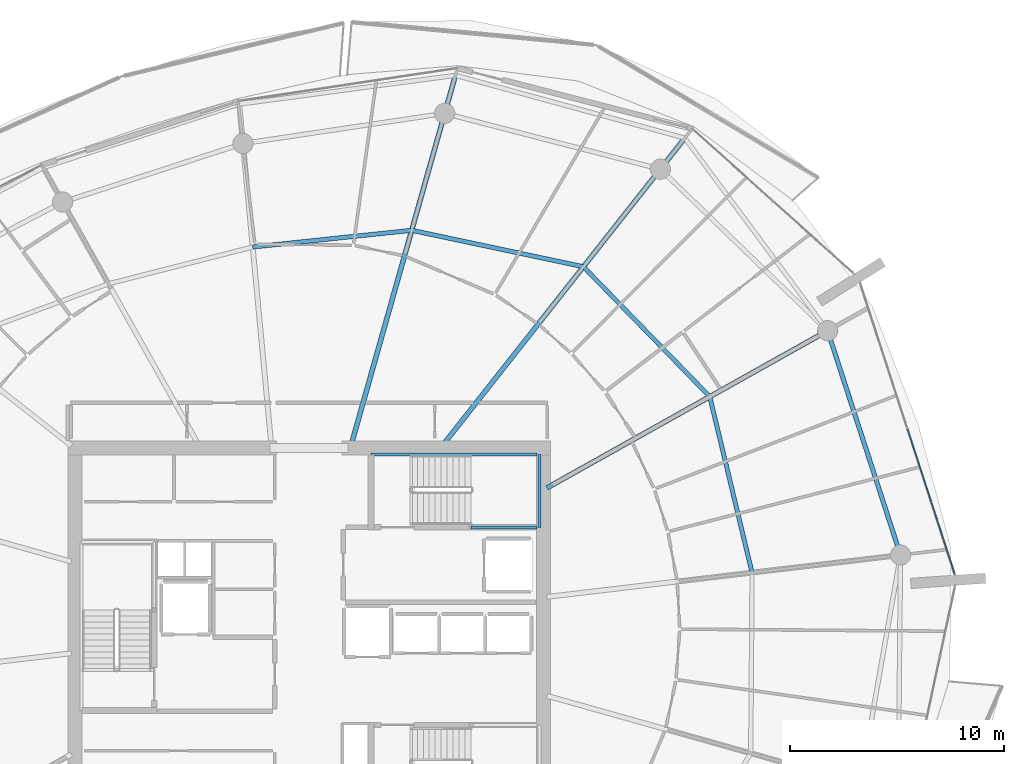
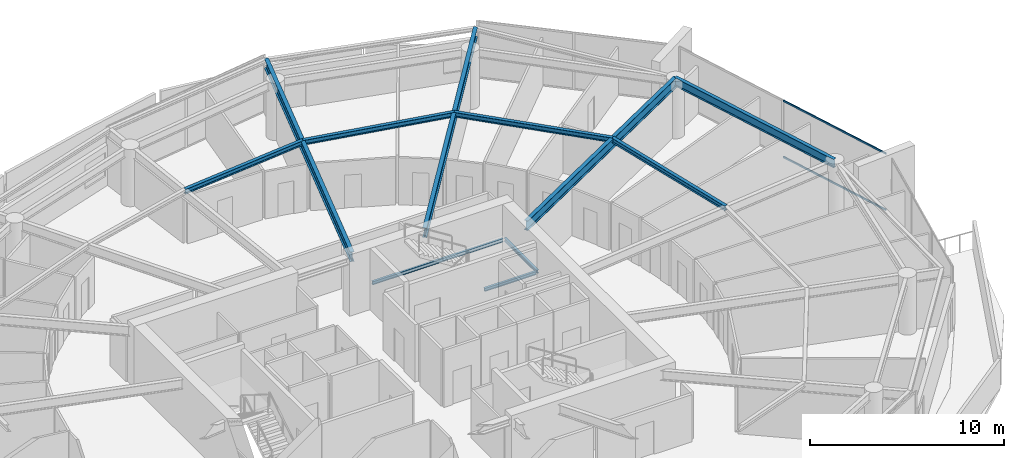
# One storey, part 14 of 31: 11 beams, 2 members, 1 element without a shape of its own.
"""IFC4 building model written with IfcOpenShell, lengths in metres."""

import ifcopenshell
import ifcopenshell.guid

model = None  # the IFC model being written
_history = None  # IfcOwnerHistory: only IFC2X3 demands one
_inside = {}  # id of a spatial element -> (the spatial element, [elements in it])
_under = {}  # id of a project, library or spatial element -> (it, [spatial elements below it])
_declared = {}  # id of a project -> (the project, [libraries it declares])
_typed = {}  # id of a type object -> (the type object, [elements of that type])
_made_of = {}  # id of a material, layer set ... -> (it, [elements and type objects made of it])


def new_model(schema):
    """Start an empty IFC model of exactly this schema.

    Asked for "IFC4X3", IfcOpenShell would pick the latest addendum, in which some entities
    have other attributes; the version numbers below select the first issue.
    IFC2X3 requires an IfcOwnerHistory on every rooted entity: one is made here for all.
    """
    global model, _history
    if schema == "IFC4X3":
        model = ifcopenshell.file(schema_version=(4, 3, 0, 0))
    else:
        model = ifcopenshell.file(schema=schema)
    _inside.clear()
    _under.clear()
    _declared.clear()
    _typed.clear()
    _made_of.clear()
    _history = None
    if model.schema == "IFC2X3":
        org = make("IfcOrganization", Name="unknown")
        user = make(
            "IfcPersonAndOrganization",
            ThePerson=make("IfcPerson", FamilyName="unknown"),
            TheOrganization=org,
        )
        app = make(
            "IfcApplication",
            ApplicationDeveloper=org,
            Version="unknown",
            ApplicationFullName="unknown",
            ApplicationIdentifier="unknown",
        )
        _history = make(
            "IfcOwnerHistory",
            OwningUser=user,
            OwningApplication=app,
            ChangeAction="ADDED",
            CreationDate=0,
        )
    return model


def make(cls, **values):
    """One entity of the class cls with the attributes given. An attribute that is None is left unset."""
    return model.create_entity(
        cls, **{name: value for name, value in values.items() if value is not None}
    )


def rooted(cls, **values):
    """An entity with a GlobalId (a new one), such as an element, a storey or a relation."""
    return make(cls, GlobalId=ifcopenshell.guid.new(), OwnerHistory=_history, **values)


def si_unit(unit_type, name, prefix=None):
    """IfcSIUnit, for example si_unit("LENGTHUNIT", "METRE", prefix="MILLI")."""
    return make("IfcSIUnit", UnitType=unit_type, Prefix=prefix, Name=name)


def assignment(units):
    """IfcUnitAssignment: the units of a project."""
    return None if units is None else make("IfcUnitAssignment", Units=units)


def point(xyz):
    """IfcCartesianPoint."""
    return None if xyz is None else make("IfcCartesianPoint", Coordinates=xyz)


def direction(xyz):
    """IfcDirection."""
    return None if xyz is None else make("IfcDirection", DirectionRatios=xyz)


def frame(location, z_axis=None, x_axis=None):
    """IfcAxis2Placement3D, a coordinate frame: its origin and axes. An axis left out is left unset."""
    return make(
        "IfcAxis2Placement3D",
        Location=point(location),
        Axis=direction(z_axis),
        RefDirection=direction(x_axis),
    )


def frame_2d(location, x_axis=None):
    """IfcAxis2Placement2D, a coordinate frame in the plane: its origin and x axis."""
    return make(
        "IfcAxis2Placement2D", Location=point(location), RefDirection=direction(x_axis)
    )


def origin():
    """The frame at (0, 0, 0) with its axes left unset."""
    return frame((0.0, 0.0, 0.0))


def origin_2d():
    """The frame at (0, 0) in the plane with its x axis left unset."""
    return frame_2d((0.0, 0.0))


def place(relative_to, where):
    """IfcLocalPlacement: puts the frame where relative to a parent placement (None: the world)."""
    return make(
        "IfcLocalPlacement", PlacementRelTo=relative_to, RelativePlacement=where
    )


def context(
    kind, dimensions, precision=None, world=None, true_north=None, identifier=None
):
    """IfcGeometricRepresentationContext, for example the 3D "Model" context."""
    return make(
        "IfcGeometricRepresentationContext",
        ContextIdentifier=identifier,
        ContextType=kind,
        CoordinateSpaceDimension=dimensions,
        Precision=precision,
        WorldCoordinateSystem=world,
        TrueNorth=true_north,
    )


def subcontext(parent, identifier, kind, view, scale=None):
    """IfcGeometricRepresentationSubContext, for example "Body" below "Model"."""
    return make(
        "IfcGeometricRepresentationSubContext",
        ContextIdentifier=identifier,
        ContextType=kind,
        ParentContext=parent,
        TargetScale=scale,
        TargetView=view,
    )


def project(units=None, contexts=None):
    """IfcProject with its units and contexts."""
    return rooted(
        "IfcProject",
        Name="project",
        RepresentationContexts=contexts,
        UnitsInContext=assignment(units),
    )


def spatial(cls, under=None, at=None, **own):
    """A site, building, storey or space (cls), placed at a placement, below another one or the project."""
    s = rooted(cls, ObjectPlacement=at, **own)
    if under is not None:
        _under.setdefault(under.id(), (under, []))[1].append(s)
    return s


def profile(cls, at=None, kind="AREA", **sizes):
    """A parametric profile (cls). Its sizes go by their IFC names, for example OverallWidth=200.0."""
    return make(cls, ProfileType=kind, Position=at, **sizes)


def rectangle(**sizes):
    """IfcRectangleProfileDef."""
    return profile("IfcRectangleProfileDef", **sizes)


def i_section(**sizes):
    """IfcIShapeProfileDef."""
    return profile("IfcIShapeProfileDef", **sizes)


def extrude(swept, where, along, depth):
    """IfcExtrudedAreaSolid: the profile swept, set in the frame where, extruded along a direction by depth."""
    return make(
        "IfcExtrudedAreaSolid",
        SweptArea=swept,
        Position=where,
        ExtrudedDirection=direction(along),
        Depth=depth,
    )


def shape(context_of_items, identifier, shape_type, items):
    """IfcShapeRepresentation: the items that make up one representation, for example the "Body"."""
    return make(
        "IfcShapeRepresentation",
        ContextOfItems=context_of_items,
        RepresentationIdentifier=identifier,
        RepresentationType=shape_type,
        Items=items,
    )


def material(Name=None, Category=None):
    """IfcMaterial."""
    return make("IfcMaterial", Name=Name, Category=Category)


def layer(
    of_material, thickness, ventilated=None, Name=None, Category=None, Priority=None
):
    """IfcMaterialLayer: one layer of a wall or slab, of a material (None: an air gap)."""
    return make(
        "IfcMaterialLayer",
        Material=of_material,
        LayerThickness=thickness,
        IsVentilated=ventilated,
        Name=Name,
        Category=Category,
        Priority=Priority,
    )


def layer_set(layers, Name=None):
    """IfcMaterialLayerSet."""
    return make("IfcMaterialLayerSet", MaterialLayers=layers, LayerSetName=Name)


def material_profile(
    of_material, cross_section, Name=None, Category=None, Priority=None
):
    """IfcMaterialProfile: a cross section and its material."""
    return make(
        "IfcMaterialProfile",
        Name=Name,
        Material=of_material,
        Profile=cross_section,
        Priority=Priority,
        Category=Category,
    )


def profile_set(profiles, Name=None, composite=None):
    """IfcMaterialProfileSet."""
    return make(
        "IfcMaterialProfileSet",
        Name=Name,
        MaterialProfiles=profiles,
        CompositeProfile=composite,
    )


def made_of(thing, what):
    """Note that an element or type object is made of a material, layer set ...; save() writes the relation."""
    if what is not None:
        _made_of.setdefault(what.id(), (what, []))[1].append(thing)
    return thing


def type_object(cls, material=None, **own):
    """A type object (cls), such as IfcWallType, which elements share."""
    return made_of(rooted(cls, **own), material)


def element(
    cls,
    number,
    at=None,
    inside=None,
    cuts=None,
    type_object=None,
    material=None,
    context=None,
    identifier="Body",
    shape_type=None,
    held_by="IfcProductDefinitionShape",
    body=None,
    shapes=None,
    **own,
):
    """One element of the class cls, such as IfcWall. Its Tag is "e" and its number.

    at: its placement. inside: the storey or other place that contains it. cuts: it is an
    opening in that element (IfcRelVoidsElement). A single representation is given by context,
    identifier, shape_type and body (its items); several are given by shapes. held_by: the class
    of the entity that holds the representations. save() writes the other relations.
    """
    e = rooted(cls, Tag="e%d" % number, ObjectPlacement=at, **own)
    if body is not None:
        shapes = [shape(context, identifier, shape_type, body)]
    if shapes is not None:
        e.Representation = make(held_by, Representations=shapes)
    if inside is not None:
        _inside.setdefault(inside.id(), (inside, []))[1].append(e)
    if cuts is not None:
        rooted(
            "IfcRelVoidsElement", RelatingBuildingElement=cuts, RelatedOpeningElement=e
        )
    if type_object is not None:
        _typed.setdefault(type_object.id(), (type_object, []))[1].append(e)
    return made_of(e, material)


def aggregate(whole, parts):
    """IfcRelAggregates: a whole, such as a stair, and the parts it consists of."""
    return rooted("IfcRelAggregates", RelatingObject=whole, RelatedObjects=parts)


def save(model, path):
    """Write the relations noted so far, then the file.

    IfcRelAggregates (storeys below a building ...), IfcRelContainedInSpatialStructure (elements
    in a storey), IfcRelDefinesByType, IfcRelAssociatesMaterial and IfcRelDeclares: one each for
    every whole, place, type object, material and project.
    """
    for whole, parts in _under.values():
        aggregate(whole, parts)
    for where, things in _inside.values():
        rooted(
            "IfcRelContainedInSpatialStructure",
            RelatedElements=things,
            RelatingStructure=where,
        )
    for kind, things in _typed.values():
        rooted("IfcRelDefinesByType", RelatedObjects=things, RelatingType=kind)
    for what, things in _made_of.values():
        rooted("IfcRelAssociatesMaterial", RelatedObjects=things, RelatingMaterial=what)
    for by, libraries in _declared.values():
        rooted("IfcRelDeclares", RelatingContext=by, RelatedDefinitions=libraries)
    model.write(path)


model = new_model("IFC4")

# Units and contexts
model_context = context("Model", 3, precision=1e-05, world=origin(), true_north=direction((0.0, 1.0)))
body_context = subcontext(model_context, "Body", "Model", "MODEL_VIEW")
ifc_project = project(units=[si_unit("LENGTHUNIT", "METRE"), si_unit("AREAUNIT", "SQUARE_METRE"), si_unit("VOLUMEUNIT", "CUBIC_METRE"), si_unit("PLANEANGLEUNIT", "RADIAN"), si_unit("MASSUNIT", "GRAM", prefix="KILO")], contexts=[model_context])

# Site, building, storey
site_placement = place(None, origin())
site = spatial("IfcSite", under=ifc_project, at=site_placement, CompositionType="ELEMENT")
building_placement = place(site_placement, origin())
building = spatial("IfcBuilding", under=site, at=building_placement, Name="Kazma Halo Residences", CompositionType="ELEMENT")
storey_placement = place(building_placement, frame((0.0, 0.0, 248.25)))
storey = spatial("IfcBuildingStorey", under=building, at=storey_placement, Name="L62", CompositionType="ELEMENT", Elevation=248.25)

# Beams
ifc_material_1 = material(Name="Steel S355", Category="steel")
ifc_material_profile_1 = material_profile(ifc_material_1, i_section(OverallWidth=0.22802734375, OverallDepth=0.60791015625, WebThickness=0.01123046875, FlangeThickness=0.017333984375, FilletRadius=0.01806640625, at=origin_2d()), Name="W610x113")
ifc_profile_set_1 = profile_set([ifc_material_profile_1], Name="Steel S355")
beam_type_1 = type_object("IfcBeamType", Name="BM-RAD-W610", PredefinedType="BEAM", material=ifc_profile_set_1)
beam_1_placement = place(storey_placement, frame((59.550048828125, 48.46826171875, 3.285888671875), z_axis=(0.872498817764, 0.488616222613, 0.0), x_axis=(-0.488616222613, 0.872498817764, 0.0)))
element("IfcBeam", 1, at=beam_1_placement, inside=storey, type_object=beam_type_1, Name="L62 radial floor beam 01", PredefinedType="BEAM", context=body_context, shape_type="SweptSolid", body=[
    extrude(i_section(OverallWidth=0.22802734375, OverallDepth=0.60791015625, WebThickness=0.01123046875, FlangeThickness=0.017333984375, FilletRadius=0.01806640625, at=origin_2d()), origin(), (0.0, 0.0, 1.0), 15.03759765625),
])
beam_2_placement = place(storey_placement, frame((54.700927734375, 50.5, 3.285888671875), z_axis=(0.6190864347, 0.785322854863, 0.0), x_axis=(-0.785322854863, 0.6190864347, 0.0)))
element("IfcBeam", 2, at=beam_2_placement, inside=storey, type_object=beam_type_1, Name="L62 radial floor beam 02", PredefinedType="BEAM", context=body_context, shape_type="SweptSolid", body=[
    extrude(i_section(OverallWidth=0.22802734375, OverallDepth=0.60791015625, WebThickness=0.01123046875, FlangeThickness=0.017333984375, FilletRadius=0.01806640625, at=origin_2d()), origin(), (0.0, 0.0, 1.0), 18.239013671875),
])
beam_3_placement = place(storey_placement, frame((50.397216796875, 50.5, 3.285888671875), z_axis=(0.271445290974, 0.962453871107, 0.0), x_axis=(-0.962453871107, 0.271445290974, 0.0)))
element("IfcBeam", 3, at=beam_3_placement, inside=storey, type_object=beam_type_1, Name="L62 radial floor beam 03", PredefinedType="BEAM", context=body_context, shape_type="SweptSolid", body=[
    extrude(i_section(OverallWidth=0.22802734375, OverallDepth=0.60791015625, WebThickness=0.01123046875, FlangeThickness=0.017333984375, FilletRadius=0.01806640625, at=origin_2d()), origin(), (0.0, 0.0, 1.0), 17.933349609375),
])
ifc_material_profile_2 = material_profile(ifc_material_1, i_section(OverallWidth=0.202880859375, OverallDepth=0.302978515625, WebThickness=0.007568359375, FlangeThickness=0.01318359375, FilletRadius=0.013916015625, at=origin_2d()), Name="W310x60")
ifc_profile_set_2 = profile_set([ifc_material_profile_2], Name="Steel S355")
beam_type_2 = type_object("IfcBeamType", Name="BM-SEC-W310A", PredefinedType="JOIST", material=ifc_profile_set_2)
beam_4_placement = place(storey_placement, frame((67.159912109375, 52.72998046875, 3.4384765625), z_axis=(-0.697145013687, 0.716930142964, 0.0), x_axis=(-0.716930142964, -0.697145013687, 0.0)))
element("IfcBeam", 4, at=beam_4_placement, inside=storey, type_object=beam_type_2, Name="L62 circumferential floor joist 01", PredefinedType="JOIST", context=body_context, shape_type="SweptSolid", body=[
    extrude(i_section(OverallWidth=0.202880859375, OverallDepth=0.302978515625, WebThickness=0.007568359375, FlangeThickness=0.01318359375, FilletRadius=0.013916015625, at=origin_2d()), origin(), (0.0, 0.0, 1.0), 8.477294921875),
])
beam_5_placement = place(storey_placement, frame((61.25, 58.8076171875, 3.4384765625), z_axis=(-0.978235588777, 0.207497308055, 0.0), x_axis=(-0.207497308055, -0.978235588777, 0.0)))
element("IfcBeam", 5, at=beam_5_placement, inside=storey, type_object=beam_type_2, Name="L62 circumferential floor joist 02", PredefinedType="JOIST", context=body_context, shape_type="SweptSolid", body=[
    extrude(i_section(OverallWidth=0.202880859375, OverallDepth=0.302978515625, WebThickness=0.007568359375, FlangeThickness=0.01318359375, FilletRadius=0.013916015625, at=origin_2d()), origin(), (0.0, 0.0, 1.0), 8.2080078125),
])
beam_6_placement = place(storey_placement, frame((53.220703125, 60.5107421875, 3.4384765625), z_axis=(-0.994528326067, -0.104467261141, 0.0), x_axis=(0.104467261141, -0.994528326067, 0.0)))
element("IfcBeam", 6, at=beam_6_placement, inside=storey, type_object=beam_type_2, Name="L62 circumferential floor joist 03", PredefinedType="JOIST", context=body_context, shape_type="SweptSolid", body=[
    extrude(i_section(OverallWidth=0.202880859375, OverallDepth=0.302978515625, WebThickness=0.007568359375, FlangeThickness=0.01318359375, FilletRadius=0.013916015625, at=origin_2d()), origin(), (0.0, 0.0, 1.0), 7.478515625),
])
beam_7_placement = place(storey_placement, frame((69.13720703125, 44.501708984375, 3.4384765625), z_axis=(-0.23365336492, 0.97231996023, 0.0), x_axis=(-0.97231996023, -0.23365336492, 0.0)))
element("IfcBeam", 7, at=beam_7_placement, inside=storey, type_object=beam_type_2, Name="L62 circumferential floor joist 16", PredefinedType="JOIST", context=body_context, shape_type="SweptSolid", body=[
    extrude(i_section(OverallWidth=0.202880859375, OverallDepth=0.302978515625, WebThickness=0.007568359375, FlangeThickness=0.01318359375, FilletRadius=0.013916015625, at=origin_2d()), origin(), (0.0, 0.0, 1.0), 8.46240234375),
])
ifc_material_profile_3 = material_profile(ifc_material_1, i_section(OverallWidth=0.208984375, OverallDepth=0.532958984375, WebThickness=0.01025390625, FlangeThickness=0.015625, FilletRadius=0.01611328125, at=origin_2d()), Name="W530x92")
ifc_profile_set_3 = profile_set([ifc_material_profile_3], Name="Steel S355")
beam_type_3 = type_object("IfcBeamType", Name="BM-SPN-W530", PredefinedType="BEAM", material=ifc_profile_set_3)
beam_8_placement = place(storey_placement, frame((76.07958984375, 45.323486328125, 3.323486328125), z_axis=(-0.309015517474, 0.951056996168, 0.0), x_axis=(-0.951056996168, -0.309015517474, 0.0)))
element("IfcBeam", 8, at=beam_8_placement, inside=storey, type_object=beam_type_3, Name="L62 perimeter ring beam 16", PredefinedType="BEAM", context=body_context, shape_type="SweptSolid", body=[
    extrude(i_section(OverallWidth=0.208984375, OverallDepth=0.532958984375, WebThickness=0.01025390625, FlangeThickness=0.015625, FilletRadius=0.01611328125, at=origin_2d()), origin(), (0.0, 0.0, 1.0), 11.032470703125),
])
ifc_material_profile_4 = material_profile(ifc_material_1, i_section(OverallWidth=0.133056640625, OverallDepth=0.20703125, WebThickness=0.005859375, FlangeThickness=0.00830078125, FilletRadius=0.010009765625, at=origin_2d()), Name="W200x26.6")
ifc_profile_set_4 = profile_set([ifc_material_profile_4], Name="Steel S355")
beam_type_4 = type_object("IfcBeamType", Name="BM-TRIM-W200", PredefinedType="BEAM", material=ifc_profile_set_4)
beam_9_placement = place(storey_placement, frame((51.31005859375, 50.02001953125, 1.6201171875), z_axis=(1.0, 0.0, 0.0), x_axis=(0.0, 1.0, 0.0)))
element("IfcBeam", 9, at=beam_9_placement, inside=storey, type_object=beam_type_4, Name="L62 ST-02 landing north wall ledger", PredefinedType="BEAM", context=body_context, shape_type="SweptSolid", body=[
    extrude(i_section(OverallWidth=0.133056640625, OverallDepth=0.20703125, WebThickness=0.005859375, FlangeThickness=0.00830078125, FilletRadius=0.010009765625, at=origin_2d()), origin(), (0.0, 0.0, 1.0), 7.760009765625),
])
beam_10_placement = place(storey_placement, frame((56.0, 46.6201171875, 1.6201171875), z_axis=(1.0, 0.0, 0.0), x_axis=(0.0, 1.0, 0.0)))
element("IfcBeam", 10, at=beam_10_placement, inside=storey, type_object=beam_type_4, Name="L62 ST-02 landing south wall ledger", PredefinedType="BEAM", context=body_context, shape_type="SweptSolid", body=[
    extrude(i_section(OverallWidth=0.133056640625, OverallDepth=0.20703125, WebThickness=0.005859375, FlangeThickness=0.00830078125, FilletRadius=0.010009765625, at=origin_2d()), origin(), (0.0, 0.0, 1.0), 3.070068359375),
])
beam_11_placement = place(storey_placement, frame((59.18994140625, 46.6201171875, 1.6201171875), z_axis=(0.0, 1.0, 0.0), x_axis=(-1.0, 0.0, 0.0)))
element("IfcBeam", 11, at=beam_11_placement, inside=storey, type_object=beam_type_4, Name="L62 ST-02 landing end wall ledger", PredefinedType="BEAM", context=body_context, shape_type="SweptSolid", body=[
    extrude(i_section(OverallWidth=0.133056640625, OverallDepth=0.20703125, WebThickness=0.005859375, FlangeThickness=0.00830078125, FilletRadius=0.010009765625, at=origin_2d()), origin(), (0.0, 0.0, 1.0), 3.39990234375),
])

# Curtain wall, members
ifc_material_2 = material(Name="Aluminium AW-6063 T6 and Triple-Silver Low-E Glass", Category="aluminium")
ifc_layer = layer(ifc_material_2, 0.139892578125)
ifc_layer_set = layer_set([ifc_layer], Name="Aluminium AW-6063 T6 and Triple-Silver Low-E Glass")
curtain_wall_type = type_object("IfcCurtainWallType", Name="CW-SYS-5", PredefinedType="NOTDEFINED", material=ifc_layer_set)
curtain_wall_placement = place(storey_placement, origin())
curtain_wall = element("IfcCurtainWall", 12, at=curtain_wall_placement, inside=storey, type_object=curtain_wall_type, Name="L62 unitised curtain wall B16", PredefinedType="NOTDEFINED")
ifc_material_3 = material(Name="Aluminium AW-6063 T6", Category="aluminium")
ifc_material_profile_5 = material_profile(ifc_material_3, rectangle(XDim=0.06005859375, YDim=0.10498046875, at=origin_2d()), Name="CWT-60x105")
ifc_profile_set_5 = profile_set([ifc_material_profile_5], Name="Aluminium AW-6063 T6")
member_type = type_object("IfcMemberType", Name="CW-SYS-5-TRN", PredefinedType="USERDEFINED", material=ifc_profile_set_5)
member_1_placement = place(storey_placement, frame((78.613525390625, 44.44091796875, 0.030029296875), z_axis=(-0.308995987448, 0.951063341603, 0.0), x_axis=(-0.951063341603, -0.308995987448, 0.0)))
member_1 = element("IfcMember", 13, at=member_1_placement, type_object=member_type, Name="CWS-5 transom 1.1", ObjectType="TRANSOM", PredefinedType="USERDEFINED", context=body_context, shape_type="SweptSolid", body=[
    extrude(rectangle(XDim=0.06005859375, YDim=0.10498046875, at=origin_2d()), origin(), (0.0, 0.0, 1.0), 7.108642578125),
])
member_2_placement = place(storey_placement, frame((78.613525390625, 44.44091796875, 3.56005859375), z_axis=(-0.308995987448, 0.951063341603, 0.0), x_axis=(-0.951063341603, -0.308995987448, 0.0)))
member_2 = element("IfcMember", 14, at=member_2_placement, type_object=member_type, Name="CWS-5 transom 1.2", ObjectType="TRANSOM", PredefinedType="USERDEFINED", context=body_context, shape_type="SweptSolid", body=[
    extrude(rectangle(XDim=0.06005859375, YDim=0.10498046875, at=origin_2d()), origin(), (0.0, 0.0, 1.0), 7.108642578125),
])
aggregate(curtain_wall, [member_1, member_2])

save(model, "model.ifc")
